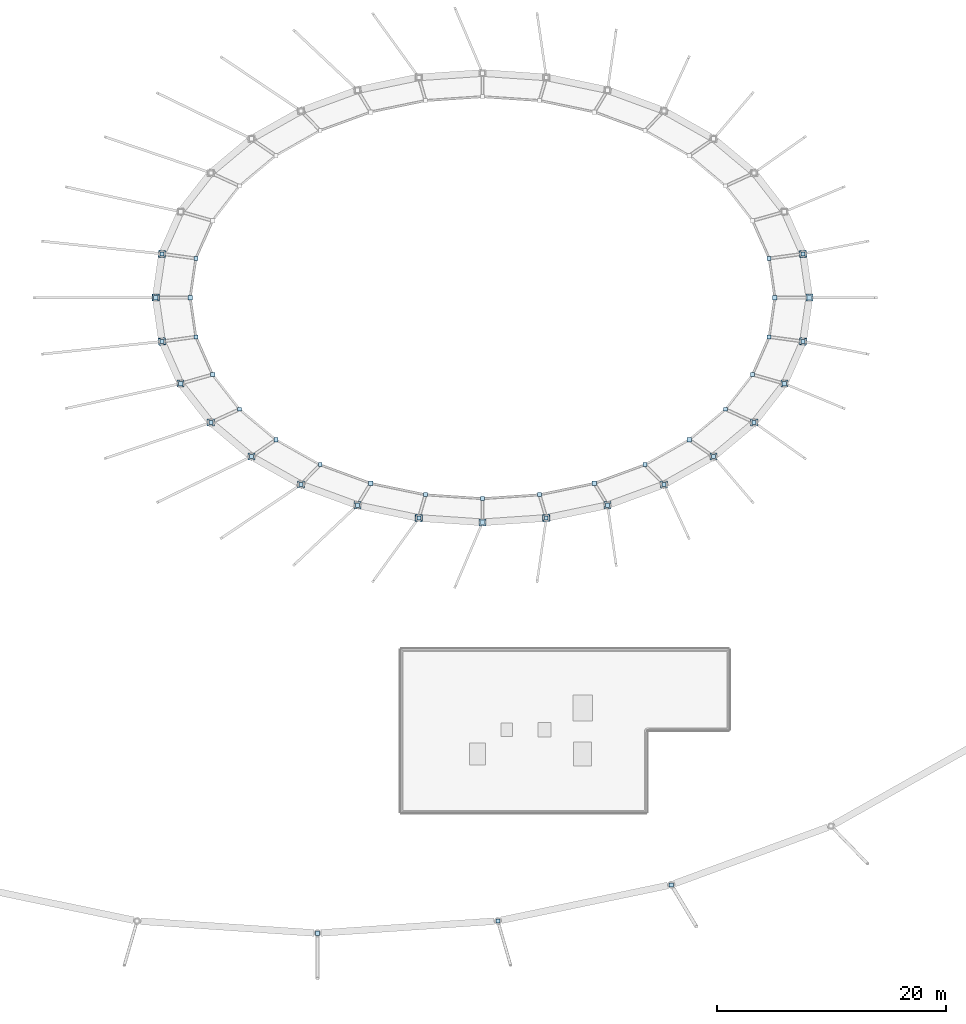
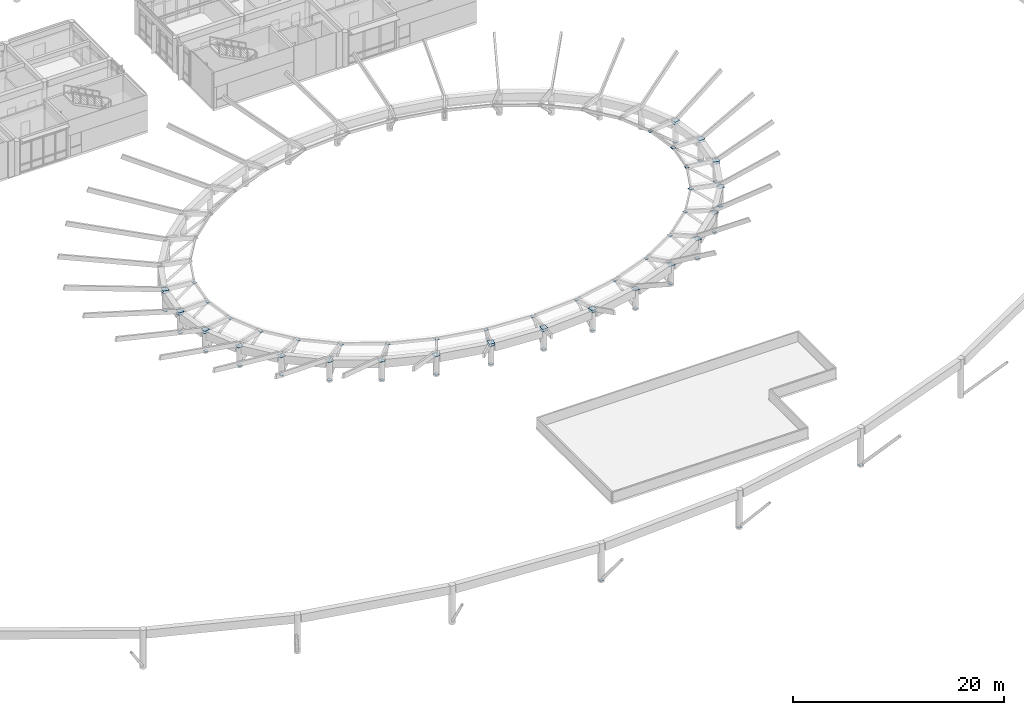
# One storey, part 19 of 37: 69 plates.
"""IFC4 building model written with IfcOpenShell, lengths in metres."""

from ifc_helpers import new_model, si_unit, direction, frame, origin, origin_2d, place, context, subcontext, project, spatial, rectangle, extrude, material, layer, layer_set, type_object, element, save


model = new_model("IFC4")

# Units and contexts
model_context = context("Model", 3, precision=1e-05, world=origin(), true_north=direction((0.0, 1.0)))
body_context = subcontext(model_context, "Body", "Model", "MODEL_VIEW")
ifc_project = project(units=[si_unit("LENGTHUNIT", "METRE"), si_unit("AREAUNIT", "SQUARE_METRE"), si_unit("VOLUMEUNIT", "CUBIC_METRE"), si_unit("PLANEANGLEUNIT", "RADIAN"), si_unit("MASSUNIT", "GRAM", prefix="KILO")], contexts=[model_context])

# Site, building, storey
site_placement = place(None, origin())
site = spatial("IfcSite", under=ifc_project, at=site_placement, CompositionType="ELEMENT")
building_placement = place(site_placement, origin())
building = spatial("IfcBuilding", under=site, at=building_placement, Name="Namkhue Oval Health Centre", CompositionType="ELEMENT")
storey_placement = place(building_placement, frame((0.0, 0.0, 22.199951171875)))
storey = spatial("IfcBuildingStorey", under=building, at=storey_placement, Name="L05", CompositionType="ELEMENT", Elevation=22.199951171875)

# Plates
ifc_material = material(Name="Structural steel EN 10025-2 S355JR (TCVN 5575:2024)", Category="steel")
ifc_layer_1 = layer(ifc_material, 0.02392578125)
ifc_layer_set_1 = layer_set([ifc_layer_1], Name="Structural steel EN 10025-2 S355JR (TCVN 5575:2024)")
plate_type_1 = type_object("IfcPlateType", Name="BASE SPLICE PLATE 620X620X24", PredefinedType="USERDEFINED", material=ifc_layer_set_1)
for number, where, z_axis, x_axis, name in (
    (1, (129.31201171875, 59.39990234375, 2.34814453125), (0.0, 0.0, 1.0), (1.0, 0.0, 0.0), "Gridshell IR Ring Bearing Plate 1"),
    (2, (128.76416015625, 63.22412109375, 2.34814453125), (0.0, 0.0, 1.0), (1.0, 0.0, 0.0), "Gridshell IR Ring Bearing Plate 2"),
    (3, (72.8359375, 63.22412109375, 2.34814453125), (0.0, 0.0, 1.0), (1.0, 0.0, 0.0), "Gridshell IR Ring Bearing Plate 16"),
    (4, (72.2880859375, 59.39990234375, 2.34814453125), (0.0, 0.0, 1.0), (1.0, 0.0, 0.0), "Gridshell IR Ring Bearing Plate 17"),
    (5, (72.8359375, 55.575927734375, 2.34814453125), (0.0, 0.0, 1.0), (1.0, 0.0, 0.0), "Gridshell IR Ring Bearing Plate 18"),
    (6, (74.458251953125, 51.898681640625, 2.34814453125), (0.0, 0.0, 1.0), (1.0, 0.0, 0.0), "Gridshell IR Ring Bearing Plate 19"),
    (7, (77.093017578125, 48.509765625, 2.34814453125), (0.0, 0.0, 1.0), (1.0, 0.0, 0.0), "Gridshell IR Ring Bearing Plate 20"),
    (8, (80.638916015625, 45.539306640625, 2.34814453125), (0.0, 0.0, 1.0), (1.0, 0.0, 0.0), "Gridshell IR Ring Bearing Plate 21"),
    (9, (84.95947265625, 43.1015625, 2.34814453125), (0.0, 0.0, 1.0), (1.0, 0.0, 0.0), "Gridshell IR Ring Bearing Plate 22"),
    (10, (89.888916015625, 41.2900390625, 2.34814453125), (0.0, 0.0, 1.0), (1.0, 0.0, 0.0), "Gridshell IR Ring Bearing Plate 23"),
    (11, (95.237548828125, 40.174560546875, 2.34814453125), (0.0, 0.0, 1.0), (1.0, 0.0, 0.0), "Gridshell IR Ring Bearing Plate 24"),
    (12, (100.800048828125, 39.798095703125, 2.34814453125), (0.0, 0.0, 1.0), (1.0, 0.0, 0.0), "Gridshell IR Ring Bearing Plate 25"),
    (13, (106.3623046875, 40.174560546875, 2.34814453125), (0.0, 0.0, 1.0), (1.0, 0.0, 0.0), "Gridshell IR Ring Bearing Plate 26"),
    (14, (111.711181640625, 41.2900390625, 2.34814453125), (0.0, 0.0, 1.0), (1.0, 0.0, 0.0), "Gridshell IR Ring Bearing Plate 27"),
    (15, (116.640380859375, 43.1015625, 2.34814453125), (0.0, 0.0, 1.0), (1.0, 0.0, 0.0), "Gridshell IR Ring Bearing Plate 28"),
    (16, (120.9609375, 45.539306640625, 2.34814453125), (0.0, 0.0, 1.0), (1.0, 0.0, 0.0), "Gridshell IR Ring Bearing Plate 29"),
    (17, (124.5068359375, 48.509765625, 2.34814453125), (0.0, 0.0, 1.0), (1.0, 0.0, 0.0), "Gridshell IR Ring Bearing Plate 30"),
    (18, (127.1416015625, 51.898681640625, 2.34814453125), (0.0, 0.0, 1.0), (1.0, 0.0, 0.0), "Gridshell IR Ring Bearing Plate 31"),
    (19, (128.76416015625, 55.575927734375, 2.34814453125), (0.0, 0.0, 1.0), (1.0, 0.0, 0.0), "Gridshell IR Ring Bearing Plate 32"),
):
    element("IfcPlate", number, at=place(storey_placement, frame(where, z_axis=z_axis, x_axis=x_axis)), inside=storey, type_object=plate_type_1, Name=name, ObjectType="BASE_PLATE", PredefinedType="USERDEFINED", context=body_context, shape_type="SweptSolid", body=[
        extrude(rectangle(XDim=0.6201171875, YDim=0.6201171875, at=origin_2d()), origin(), (0.0, 0.0, 1.0), 0.02392578125),
    ])
ifc_layer_2 = layer(ifc_material, 0.02490234375)
ifc_layer_set_2 = layer_set([ifc_layer_2], Name="Structural steel EN 10025-2 S355JR (TCVN 5575:2024)")
plate_type_2 = type_object("IfcPlateType", Name="GRIDSHELL GUSSET PLATE 600X600X25", PredefinedType="USERDEFINED", material=ifc_layer_set_2)
for number, where, z_axis, x_axis, name in (
    (20, (129.31201171875, 59.39990234375, 2.607666015625), (0.0, 0.0, 1.0), (1.0, 0.0, 0.0), "Gridshell Node Gusset Plate K6-1"),
    (21, (128.76416015625, 63.22412109375, 2.607666015625), (0.0, 0.0, 1.0), (0.980785280403, 0.195090322016, 0.0), "Gridshell Node Gusset Plate K6-2"),
    (22, (72.8359375, 63.22412109375, 2.607666015625), (0.0, 0.0, 1.0), (-0.980785280403, 0.195090322016, 0.0), "Gridshell Node Gusset Plate K6-16"),
    (23, (72.2880859375, 59.39990234375, 2.607666015625), (0.0, 0.0, 1.0), (-1.0, 0.0, 0.0), "Gridshell Node Gusset Plate K6-17"),
    (24, (72.8359375, 55.575927734375, 2.607666015625), (0.0, 0.0, 1.0), (-0.980785280403, -0.195090322016, 0.0), "Gridshell Node Gusset Plate K6-18"),
    (25, (95.237548828125, 40.174560546875, 2.607666015625), (0.0, 0.0, 1.0), (-0.195090322016, -0.980785280403, 0.0), "Gridshell Node Gusset Plate K6-24"),
    (26, (100.800048828125, 39.798095703125, 2.607666015625), (0.0, 0.0, 1.0), (0.0, -1.0, 0.0), "Gridshell Node Gusset Plate K6-25"),
    (27, (106.3623046875, 40.174560546875, 2.607666015625), (0.0, 0.0, 1.0), (0.195090322016, -0.980785280403, 0.0), "Gridshell Node Gusset Plate K6-26"),
    (28, (128.76416015625, 55.575927734375, 2.607666015625), (0.0, 0.0, 1.0), (0.980785280403, -0.195090322016, 0.0), "Gridshell Node Gusset Plate K6-32"),
):
    element("IfcPlate", number, at=place(storey_placement, frame(where, z_axis=z_axis, x_axis=x_axis)), inside=storey, type_object=plate_type_2, Name=name, ObjectType="GUSSET_PLATE", PredefinedType="USERDEFINED", context=body_context, shape_type="SweptSolid", body=[
        extrude(rectangle(XDim=0.60009765625, YDim=0.60009765625, at=origin_2d()), origin(), (0.0, 0.0, 1.0), 0.02490234375),
    ])
ifc_layer_3 = layer(ifc_material, 0.02001953125)
ifc_layer_set_3 = layer_set([ifc_layer_3], Name="Structural steel EN 10025-2 S355JR (TCVN 5575:2024)")
plate_type_3 = type_object("IfcPlateType", Name="STEEL END CAP PLATE 340X340X20", PredefinedType="USERDEFINED", material=ifc_layer_set_3)
for number, where, z_axis, x_axis, name in (
    (29, (102.1357421875, 5.012939453125, 0.09033203125), (0.0, 0.0, 1.0), (1.0, 0.0, 0.0), "Outer Eaves Strut Lower Collar Plate 26"),
    (30, (128.7490234375, 63.22216796875, 0.087890625), (0.0, 0.0, 1.0), (1.0, 0.0, 0.0), "Oval Court Oculus Strut Lower Collar Plate 2"),
    (31, (125.79833984375, 62.818603515625, 2.594970703125), (0.0, 0.0, 1.0), (1.0, 0.0, 0.0), "Oval Court Oculus Strut Cap Plate 2"),
    (32, (72.85107421875, 63.22216796875, 0.087890625), (0.0, 0.0, 1.0), (1.0, 0.0, 0.0), "Oval Court Oculus Strut Lower Collar Plate 16"),
    (33, (75.8017578125, 62.818603515625, 2.594970703125), (0.0, 0.0, 1.0), (1.0, 0.0, 0.0), "Oval Court Oculus Strut Cap Plate 16"),
    (34, (72.85107421875, 55.577880859375, 0.087890625), (0.0, 0.0, 1.0), (1.0, 0.0, 0.0), "Oval Court Oculus Strut Lower Collar Plate 18"),
    (35, (75.8017578125, 55.9814453125, 2.594970703125), (0.0, 0.0, 1.0), (1.0, 0.0, 0.0), "Oval Court Oculus Strut Cap Plate 18"),
    (36, (77.106689453125, 48.515869140625, 0.088623046875), (0.0, 0.0, 1.0), (1.0, 0.0, 0.0), "Oval Court Oculus Strut Lower Collar Plate 20"),
    (37, (79.607421875, 49.664794921875, 2.594970703125), (0.0, 0.0, 1.0), (1.0, 0.0, 0.0), "Oval Court Oculus Strut Cap Plate 20"),
    (38, (84.96923828125, 43.111328125, 0.089599609375), (0.0, 0.0, 1.0), (1.0, 0.0, 0.0), "Oval Court Oculus Strut Lower Collar Plate 22"),
    (39, (86.6396484375, 44.830078125, 2.594970703125), (0.0, 0.0, 1.0), (1.0, 0.0, 0.0), "Oval Court Oculus Strut Cap Plate 22"),
    (40, (95.2412109375, 40.18701171875, 0.09033203125), (0.0, 0.0, 1.0), (1.0, 0.0, 0.0), "Oval Court Oculus Strut Lower Collar Plate 24"),
    (41, (95.82763671875, 42.213623046875, 2.594970703125), (0.0, 0.0, 1.0), (1.0, 0.0, 0.0), "Oval Court Oculus Strut Cap Plate 24"),
    (42, (106.35888671875, 40.18701171875, 0.09033203125), (0.0, 0.0, 1.0), (1.0, 0.0, 0.0), "Oval Court Oculus Strut Lower Collar Plate 26"),
    (43, (105.7724609375, 42.213623046875, 2.594970703125), (0.0, 0.0, 1.0), (1.0, 0.0, 0.0), "Oval Court Oculus Strut Cap Plate 26"),
    (44, (116.630859375, 43.111328125, 0.089599609375), (0.0, 0.0, 1.0), (1.0, 0.0, 0.0), "Oval Court Oculus Strut Lower Collar Plate 28"),
    (45, (114.96044921875, 44.830078125, 2.594970703125), (0.0, 0.0, 1.0), (1.0, 0.0, 0.0), "Oval Court Oculus Strut Cap Plate 28"),
    (46, (124.493408203125, 48.515869140625, 0.088623046875), (0.0, 0.0, 1.0), (1.0, 0.0, 0.0), "Oval Court Oculus Strut Lower Collar Plate 30"),
    (47, (121.992431640625, 49.664794921875, 2.594970703125), (0.0, 0.0, 1.0), (1.0, 0.0, 0.0), "Oval Court Oculus Strut Cap Plate 30"),
    (48, (128.7490234375, 55.577880859375, 0.087890625), (0.0, 0.0, 1.0), (1.0, 0.0, 0.0), "Oval Court Oculus Strut Lower Collar Plate 32"),
    (49, (125.79833984375, 55.9814453125, 2.594970703125), (0.0, 0.0, 1.0), (1.0, 0.0, 0.0), "Oval Court Oculus Strut Cap Plate 32"),
):
    element("IfcPlate", number, at=place(storey_placement, frame(where, z_axis=z_axis, x_axis=x_axis)), inside=storey, type_object=plate_type_3, Name=name, ObjectType="BASE_PLATE", PredefinedType="USERDEFINED", context=body_context, shape_type="SweptSolid", body=[
        extrude(rectangle(XDim=0.340087890625, YDim=0.340087890625, at=origin_2d()), origin(), (0.0, 0.0, 1.0), 0.02001953125),
    ])
ifc_layer_4 = layer(ifc_material, 0.02197265625)
ifc_layer_set_4 = layer_set([ifc_layer_4], Name="Structural steel EN 10025-2 S355JR (TCVN 5575:2024)")
plate_type_4 = type_object("IfcPlateType", Name="STEEL END CAP PLATE 380X380X22", PredefinedType="USERDEFINED", material=ifc_layer_set_4)
for number, where, z_axis, x_axis, name in (
    (50, (86.39990234375, 3.947265625, 0.08935546875), (0.0, 0.0, 1.0), (1.0, 0.0, 0.0), "Outer Eaves Strut Lower Collar Plate 25"),
    (51, (117.2666015625, 8.168701171875, 0.0888671875), (0.0, 0.0, 1.0), (1.0, 0.0, 0.0), "Outer Eaves Strut Lower Collar Plate 27"),
    (52, (129.296630859375, 59.39990234375, 0.0869140625), (0.0, 0.0, 1.0), (1.0, 0.0, 0.0), "Oval Court Oculus Strut Lower Collar Plate 1"),
    (53, (126.2880859375, 59.39990234375, 2.593994140625), (0.0, 0.0, 1.0), (1.0, 0.0, 0.0), "Oval Court Oculus Strut Cap Plate 1"),
    (54, (72.303466796875, 59.39990234375, 0.0869140625), (0.0, 0.0, 1.0), (1.0, 0.0, 0.0), "Oval Court Oculus Strut Lower Collar Plate 17"),
    (55, (75.31201171875, 59.39990234375, 2.593994140625), (0.0, 0.0, 1.0), (1.0, 0.0, 0.0), "Oval Court Oculus Strut Cap Plate 17"),
    (56, (74.472900390625, 51.90283203125, 0.087158203125), (0.0, 0.0, 1.0), (1.0, 0.0, 0.0), "Oval Court Oculus Strut Lower Collar Plate 19"),
    (57, (77.252197265625, 52.6943359375, 2.593994140625), (0.0, 0.0, 1.0), (1.0, 0.0, 0.0), "Oval Court Oculus Strut Cap Plate 19"),
    (58, (80.65087890625, 45.54736328125, 0.087890625), (0.0, 0.0, 1.0), (1.0, 0.0, 0.0), "Oval Court Oculus Strut Lower Collar Plate 21"),
    (59, (82.77734375, 47.00927734375, 2.593994140625), (0.0, 0.0, 1.0), (1.0, 0.0, 0.0), "Oval Court Oculus Strut Cap Plate 21"),
    (60, (89.895751953125, 41.301513671875, 0.0888671875), (0.0, 0.0, 1.0), (1.0, 0.0, 0.0), "Oval Court Oculus Strut Lower Collar Plate 23"),
    (61, (91.046142578125, 43.2109375, 2.593994140625), (0.0, 0.0, 1.0), (1.0, 0.0, 0.0), "Oval Court Oculus Strut Cap Plate 23"),
    (62, (100.800048828125, 39.810791015625, 0.08935546875), (0.0, 0.0, 1.0), (1.0, 0.0, 0.0), "Oval Court Oculus Strut Lower Collar Plate 25"),
    (63, (100.800048828125, 41.876953125, 2.593994140625), (0.0, 0.0, 1.0), (1.0, 0.0, 0.0), "Oval Court Oculus Strut Cap Plate 25"),
    (64, (111.7041015625, 41.301513671875, 0.0888671875), (0.0, 0.0, 1.0), (1.0, 0.0, 0.0), "Oval Court Oculus Strut Lower Collar Plate 27"),
    (65, (110.553955078125, 43.2109375, 2.593994140625), (0.0, 0.0, 1.0), (1.0, 0.0, 0.0), "Oval Court Oculus Strut Cap Plate 27"),
    (66, (120.94921875, 45.54736328125, 0.087890625), (0.0, 0.0, 1.0), (1.0, 0.0, 0.0), "Oval Court Oculus Strut Lower Collar Plate 29"),
    (67, (118.82275390625, 47.00927734375, 2.593994140625), (0.0, 0.0, 1.0), (1.0, 0.0, 0.0), "Oval Court Oculus Strut Cap Plate 29"),
    (68, (127.127197265625, 51.90283203125, 0.087158203125), (0.0, 0.0, 1.0), (1.0, 0.0, 0.0), "Oval Court Oculus Strut Lower Collar Plate 31"),
    (69, (124.347900390625, 52.6943359375, 2.593994140625), (0.0, 0.0, 1.0), (1.0, 0.0, 0.0), "Oval Court Oculus Strut Cap Plate 31"),
):
    element("IfcPlate", number, at=place(storey_placement, frame(where, z_axis=z_axis, x_axis=x_axis)), inside=storey, type_object=plate_type_4, Name=name, ObjectType="BASE_PLATE", PredefinedType="USERDEFINED", context=body_context, shape_type="SweptSolid", body=[
        extrude(rectangle(XDim=0.3798828125, YDim=0.3798828125, at=origin_2d()), origin(), (0.0, 0.0, 1.0), 0.02197265625),
    ])

save(model, "model.ifc")
